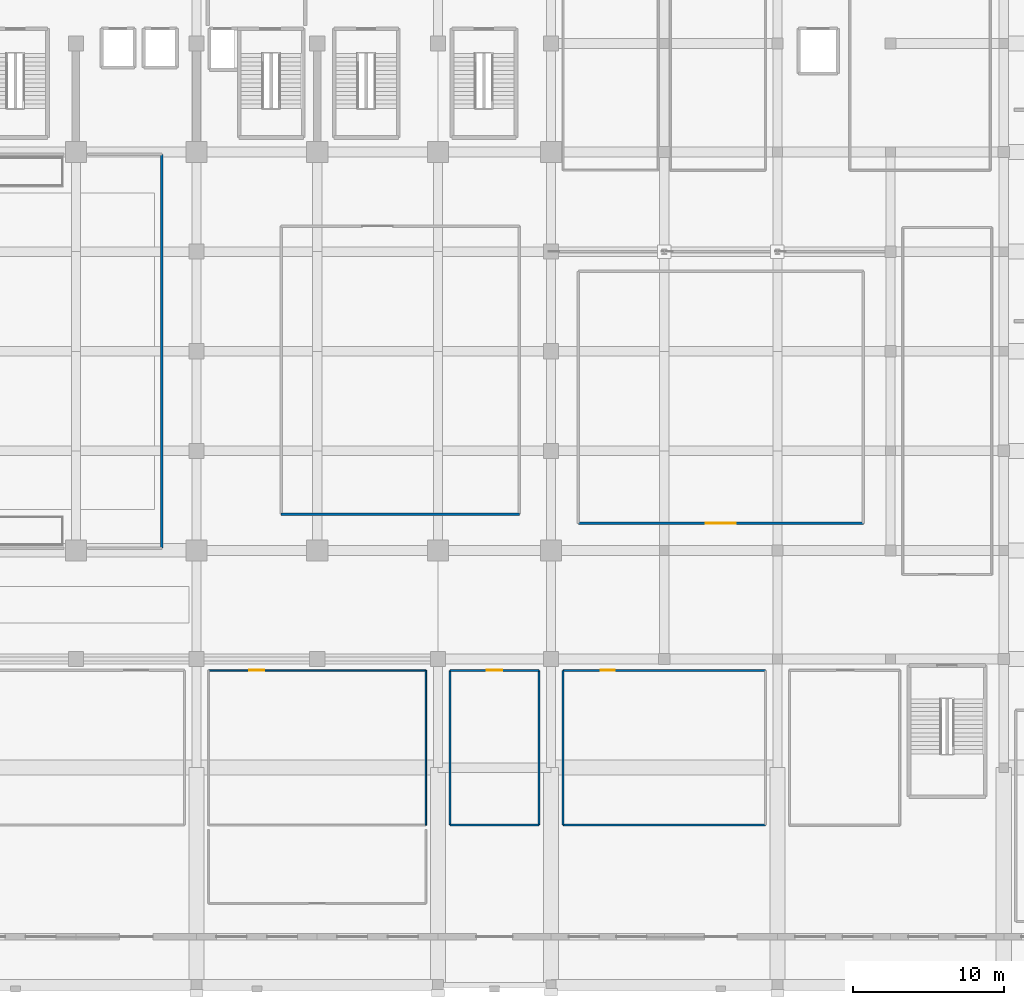
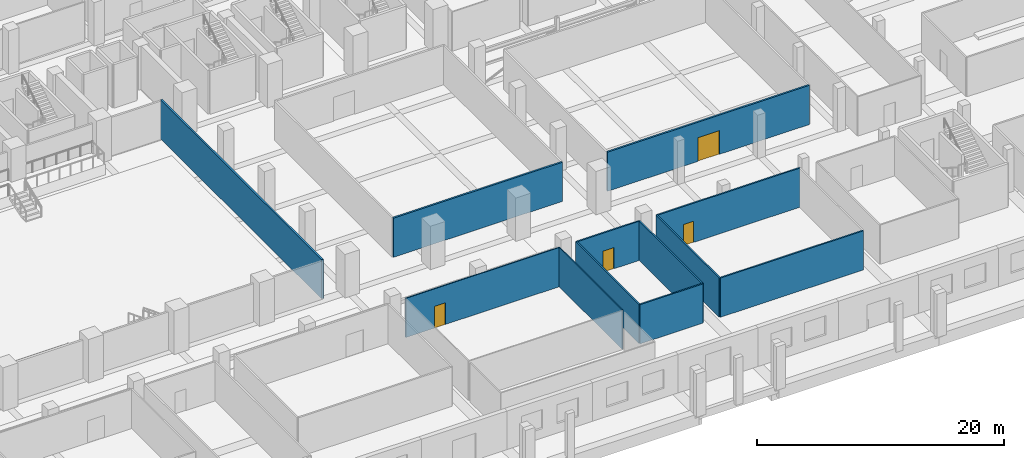
# One storey, part 14 of 33: 12 walls, 4 doors, 4 openings.
"""IFC4 building model written with IfcOpenShell, lengths in metres."""

from ifc_helpers import new_model, si_unit, direction, frame, frame_2d, origin, place, context, subcontext, project, spatial, rectangle, extrude, material, layer, layer_set, type_object, element, fill, save


model = new_model("IFC4")

# Units and contexts
model_context = context("Model", 3, precision=1e-05, world=origin(), true_north=direction((0.0, 1.0)))
body_context = subcontext(model_context, "Body", "Model", "MODEL_VIEW")
ifc_project = project(units=[si_unit("LENGTHUNIT", "METRE"), si_unit("AREAUNIT", "SQUARE_METRE"), si_unit("VOLUMEUNIT", "CUBIC_METRE"), si_unit("PLANEANGLEUNIT", "RADIAN"), si_unit("MASSUNIT", "GRAM", prefix="KILO")], contexts=[model_context])

# Site, building, storey
site_placement = place(None, origin())
site = spatial("IfcSite", under=ifc_project, at=site_placement, CompositionType="ELEMENT")
building_placement = place(site_placement, origin())
building = spatial("IfcBuilding", under=site, at=building_placement, Name="Akrevak Sports Hall", CompositionType="ELEMENT")
storey_placement = place(building_placement, origin())
storey = spatial("IfcBuildingStorey", under=building, at=storey_placement, Name="L00", CompositionType="ELEMENT", Elevation=0.0)

# Wall, opening, door
ifc_material_1 = material(Name="Sanitary Cubicle Partition", Category="gypsum")
ifc_layer_1 = layer(ifc_material_1, 0.10009765625, Name="Sanitary Cubicle Partition")
ifc_layer_set_1 = layer_set([ifc_layer_1], Name="Sanitary Cubicle Partition")
wall_type_1 = type_object("IfcWallType", Name="ARC-WL-PRT-100", PredefinedType="PARTITIONING", material=ifc_layer_set_1)
wall_1_placement = place(storey_placement, frame((92.800048828125, 20.85009765625, 0.0), z_axis=(0.0, 0.0, 1.0), x_axis=(1.0, 0.0, 0.0)))
wall_1 = element("IfcWall", 1, at=wall_1_placement, inside=storey, type_object=wall_type_1, Name="Interior Partition Sports Clinic Orthopedic & Doping Control (N)", PredefinedType="PARTITIONING", context=body_context, shape_type="SweptSolid", body=[
    extrude(rectangle(XDim=14.39990234375, YDim=0.10009765625, at=frame_2d((7.199951171875, 0.0))), origin(), (0.0, 0.0, 1.0), 3.8798828125),
])
opening_1_placement = place(wall_1_placement, frame((2.699951171875, 0.0, 0.0)))
opening_1 = element("IfcOpeningElement", 2, at=opening_1_placement, cuts=wall_1, Name="Opening ID-06", PredefinedType="OPENING", context=body_context, shape_type="SweptSolid", body=[
    extrude(rectangle(XDim=1.0, YDim=2.14990234375, at=frame_2d((0.5, 1.074951171875))), frame((0.0, 0.06201171875, 0.0), z_axis=(0.0, -1.0, 0.0), x_axis=(1.0, 0.0, 0.0)), (0.0, 0.0, 1.0), 0.1240234375),
])
ifc_material_2 = material(Name="Hardwood Oak Acoustic Leaf", Category="wood")
door_type_1 = type_object("IfcDoorType", Name="ARC-DR-OFF-100x215", OperationType="NOTDEFINED", PredefinedType="DOOR", material=ifc_material_2)
door_1_placement = place(opening_1_placement, origin())
door_1 = element("IfcDoor", 3, at=door_1_placement, inside=storey, type_object=door_type_1, Name="Door to Sports Clinic Orthopedic & Doping Control", OperationType="SINGLE_SWING_LEFT", OverallHeight=2.14990234375, OverallWidth=1.0, PredefinedType="DOOR", context=body_context, shape_type="SweptSolid", body=[
    extrude(rectangle(XDim=1.0, YDim=2.14990234375, at=frame_2d((0.5, 1.074951171875))), frame((0.0, 0.02490234375, 0.0), z_axis=(0.0, -1.0, 0.0), x_axis=(1.0, 0.0, 0.0)), (0.0, 0.0, 1.0), 0.050048828125),
])
fill(opening_1, door_1)

# Walls
wall_2_placement = place(storey_placement, frame((107.199951171875, 10.60009765625, 0.0), z_axis=(0.0, 0.0, 1.0), x_axis=(0.0, 1.0, 0.0)))
element("IfcWall", 4, at=wall_2_placement, inside=storey, type_object=wall_type_1, Name="Interior Partition Sports Clinic Orthopedic & Doping Control (E)", PredefinedType="PARTITIONING", context=body_context, shape_type="SweptSolid", body=[
    extrude(rectangle(XDim=10.25, YDim=0.10009765625, at=frame_2d((5.125, 0.0))), origin(), (0.0, 0.0, 1.0), 3.8798828125),
])
ifc_material_3 = material(Name="Moisture-Resistant Wet-Area Partition", Category="gypsum")
ifc_layer_2 = layer(ifc_material_3, 0.139892578125, Name="Moisture-Resistant Wet-Area Partition")
ifc_layer_set_2 = layer_set([ifc_layer_2], Name="Moisture-Resistant Wet-Area Partition")
wall_type_2 = type_object("IfcWallType", Name="ARC-WL-PRT-140", PredefinedType="PARTITIONING", material=ifc_layer_set_2)
wall_3_placement = place(storey_placement, frame((108.800048828125, 10.60009765625, 0.0), z_axis=(0.0, 0.0, 1.0), x_axis=(1.0, 0.0, 0.0)))
element("IfcWall", 5, at=wall_3_placement, inside=storey, type_object=wall_type_2, Name="Interior Partition Sports Clinic Accessible WC & Shower (S)", PredefinedType="PARTITIONING", context=body_context, shape_type="SweptSolid", body=[
    extrude(rectangle(XDim=5.89990234375, YDim=0.139892578125, at=frame_2d((2.949951171875, 0.0))), origin(), (0.0, 0.0, 1.0), 3.8798828125),
])

# Wall, opening, door
wall_4_placement = place(storey_placement, frame((108.800048828125, 20.85009765625, 0.0), z_axis=(0.0, 0.0, 1.0), x_axis=(1.0, 0.0, 0.0)))
wall_4 = element("IfcWall", 6, at=wall_4_placement, inside=storey, type_object=wall_type_2, Name="Interior Partition Sports Clinic Accessible WC & Shower (N)", PredefinedType="PARTITIONING", context=body_context, shape_type="SweptSolid", body=[
    extrude(rectangle(XDim=5.89990234375, YDim=0.139892578125, at=frame_2d((2.949951171875, 0.0))), origin(), (0.0, 0.0, 1.0), 3.8798828125),
])
opening_2_placement = place(wall_4_placement, frame((2.43994140625, 0.0, 0.0)))
opening_2 = element("IfcOpeningElement", 7, at=opening_2_placement, cuts=wall_4, Name="Opening ID-09", PredefinedType="OPENING", context=body_context, shape_type="SweptSolid", body=[
    extrude(rectangle(XDim=1.02001953125, YDim=2.10009765625, at=frame_2d((0.510009765625, 1.050048828125))), frame((0.0, 0.08203125, 0.0), z_axis=(0.0, -1.0, 0.0), x_axis=(1.0, 0.0, 0.0)), (0.0, 0.0, 1.0), 0.163818359375),
])
ifc_material_4 = material(Name="High-Pressure Laminate & Aluminium", Category="aluminium")
door_type_2 = type_object("IfcDoorType", Name="ARC-DR-AWC-102x210", OperationType="NOTDEFINED", PredefinedType="DOOR", material=ifc_material_4)
door_2_placement = place(opening_2_placement, frame((1.02001953125, 0.0, 0.0), z_axis=(0.0, 0.0, 1.0), x_axis=(-1.0, 0.0, 0.0)))
door_2 = element("IfcDoor", 8, at=door_2_placement, inside=storey, type_object=door_type_2, Name="Door to Sports Clinic Accessible WC & Shower", OperationType="SINGLE_SWING_RIGHT", OverallHeight=2.10009765625, OverallWidth=1.02001953125, PredefinedType="DOOR", context=body_context, shape_type="SweptSolid", body=[
    extrude(rectangle(XDim=1.02001953125, YDim=2.10009765625, at=frame_2d((0.510009765625, 1.050048828125))), frame((0.0, 0.02490234375, 0.0), z_axis=(0.0, -1.0, 0.0), x_axis=(1.0, 0.0, 0.0)), (0.0, 0.0, 1.0), 0.050048828125),
])
fill(opening_2, door_2)

# Walls
for number, where, z_axis, x_axis, name in (
    (9, (108.800048828125, 10.60009765625, 0.0), (0.0, 0.0, 1.0), (0.0, 1.0, 0.0), "Interior Partition Sports Clinic Accessible WC & Shower (W)"),
    (10, (114.699951171875, 10.60009765625, 0.0), (0.0, 0.0, 1.0), (0.0, 1.0, 0.0), "Interior Partition Sports Clinic Accessible WC & Shower (E)"),
):
    element("IfcWall", number, at=place(storey_placement, frame(where, z_axis=z_axis, x_axis=x_axis)), inside=storey, type_object=wall_type_2, Name=name, PredefinedType="PARTITIONING", context=body_context, shape_type="SweptSolid", body=[
        extrude(rectangle(XDim=10.25, YDim=0.139892578125, at=frame_2d((5.125, 0.0))), origin(), (0.0, 0.0, 1.0), 3.8798828125),
    ])
wall_5_placement = place(storey_placement, frame((116.300048828125, 10.60009765625, 0.0), z_axis=(0.0, 0.0, 1.0), x_axis=(1.0, 0.0, 0.0)))
element("IfcWall", 11, at=wall_5_placement, inside=storey, type_object=wall_type_2, Name="Interior Partition Public Spectator WC Suite South (S)", PredefinedType="PARTITIONING", context=body_context, shape_type="SweptSolid", body=[
    extrude(rectangle(XDim=13.39990234375, YDim=0.139892578125, at=frame_2d((6.699951171875, 0.0))), origin(), (0.0, 0.0, 1.0), 3.8798828125),
])

# Wall, opening, door
wall_6_placement = place(storey_placement, frame((116.300048828125, 20.85009765625, 0.0), z_axis=(0.0, 0.0, 1.0), x_axis=(1.0, 0.0, 0.0)))
wall_6 = element("IfcWall", 12, at=wall_6_placement, inside=storey, type_object=wall_type_2, Name="Interior Partition Public Spectator WC Suite South (N)", PredefinedType="PARTITIONING", context=body_context, shape_type="SweptSolid", body=[
    extrude(rectangle(XDim=13.39990234375, YDim=0.139892578125, at=frame_2d((6.699951171875, 0.0))), origin(), (0.0, 0.0, 1.0), 3.8798828125),
])
opening_3_placement = place(wall_6_placement, frame((2.47509765625, 0.0, 0.0)))
opening_3 = element("IfcOpeningElement", 13, at=opening_3_placement, cuts=wall_6, Name="Opening ID-08", PredefinedType="OPENING", context=body_context, shape_type="SweptSolid", body=[
    extrude(rectangle(XDim=0.949951171875, YDim=2.10009765625, at=frame_2d((0.47509765625, 1.050048828125))), frame((0.0, 0.08203125, 0.0), z_axis=(0.0, -1.0, 0.0), x_axis=(1.0, 0.0, 0.0)), (0.0, 0.0, 1.0), 0.163818359375),
])
door_type_3 = type_object("IfcDoorType", Name="ARC-DR-WC-095x210", OperationType="NOTDEFINED", PredefinedType="DOOR", material=ifc_material_4)
door_3_placement = place(opening_3_placement, origin())
door_3 = element("IfcDoor", 14, at=door_3_placement, inside=storey, type_object=door_type_3, Name="Door to Public Spectator WC Suite South", OperationType="SINGLE_SWING_LEFT", OverallHeight=2.10009765625, OverallWidth=0.949951171875, PredefinedType="DOOR", context=body_context, shape_type="SweptSolid", body=[
    extrude(rectangle(XDim=0.949951171875, YDim=2.10009765625, at=frame_2d((0.47509765625, 1.050048828125))), frame((0.0, 0.02490234375, 0.0), z_axis=(0.0, -1.0, 0.0), x_axis=(1.0, 0.0, 0.0)), (0.0, 0.0, 1.0), 0.050048828125),
])
fill(opening_3, door_3)

# Walls
wall_7_placement = place(storey_placement, frame((116.300048828125, 10.60009765625, 0.0), z_axis=(0.0, 0.0, 1.0), x_axis=(0.0, 1.0, 0.0)))
element("IfcWall", 15, at=wall_7_placement, inside=storey, type_object=wall_type_2, Name="Interior Partition Public Spectator WC Suite South (W)", PredefinedType="PARTITIONING", context=body_context, shape_type="SweptSolid", body=[
    extrude(rectangle(XDim=10.25, YDim=0.139892578125, at=frame_2d((5.125, 0.0))), origin(), (0.0, 0.0, 1.0), 3.8798828125),
])
ifc_material_5 = material(Name="Double Stud Fireboard Partition", Category="gypsum")
ifc_layer_3 = layer(ifc_material_5, 0.1650390625, Name="Double Stud Fireboard Partition")
ifc_layer_set_3 = layer_set([ifc_layer_3], Name="Double Stud Fireboard Partition")
wall_type_3 = type_object("IfcWallType", Name="ARC-WL-PRT-165", PredefinedType="PARTITIONING", material=ifc_layer_set_3)
wall_8_placement = place(storey_placement, frame((89.699951171875, 28.949951171875, 0.0), z_axis=(0.0, 0.0, 1.0), x_axis=(0.0, 1.0, 0.0)))
element("IfcWall", 16, at=wall_8_placement, inside=storey, type_object=wall_type_3, Name="Interior Partition Sports Hall 1 - Handball Court (E)", PredefinedType="PARTITIONING", context=body_context, shape_type="SweptSolid", body=[
    extrude(rectangle(XDim=26.10009765625, YDim=0.1650390625, at=frame_2d((13.050048828125, 0.0))), origin(), (0.0, 0.0, 1.0), 3.8798828125),
])

# Wall, opening, door
wall_9_placement = place(storey_placement, frame((117.300048828125, 30.60009765625, 0.0), z_axis=(0.0, 0.0, 1.0), x_axis=(1.0, 0.0, 0.0)))
wall_9 = element("IfcWall", 17, at=wall_9_placement, inside=storey, type_object=wall_type_3, Name="Interior Partition Climbing Wall Hall (S)", PredefinedType="PARTITIONING", context=body_context, shape_type="SweptSolid", body=[
    extrude(rectangle(XDim=18.89990234375, YDim=0.1650390625, at=frame_2d((9.449951171875, 0.0))), origin(), (0.0, 0.0, 1.0), 3.8798828125),
])
opening_4_placement = place(wall_9_placement, frame((8.449951171875, 0.0, 0.0)))
opening_4 = element("IfcOpeningElement", 18, at=opening_4_placement, cuts=wall_9, Name="Opening ID-01", PredefinedType="OPENING", context=body_context, shape_type="SweptSolid", body=[
    extrude(rectangle(XDim=2.0, YDim=2.35009765625, at=frame_2d((1.0, 1.175048828125))), frame((0.0, 0.094482421875, 0.0), z_axis=(0.0, -1.0, 0.0), x_axis=(1.0, 0.0, 0.0)), (0.0, 0.0, 1.0), 0.18896484375),
])
ifc_material_6 = material(Name="Hardwood Oak & Safety Glass", Category="wood")
door_type_4 = type_object("IfcDoorType", Name="ARC-DR-HALL-200x235", OperationType="DOUBLE_DOOR_SINGLE_SWING", PredefinedType="DOOR", material=ifc_material_6)
door_4_placement = place(opening_4_placement, frame((2.0, 0.0, 0.0), z_axis=(0.0, 0.0, 1.0), x_axis=(-1.0, 0.0, 0.0)))
door_4 = element("IfcDoor", 19, at=door_4_placement, inside=storey, type_object=door_type_4, Name="Door to Climbing Wall Hall", OperationType="DOUBLE_DOOR_SINGLE_SWING", OverallHeight=2.35009765625, OverallWidth=2.0, PredefinedType="DOOR", context=body_context, shape_type="SweptSolid", body=[
    extrude(rectangle(XDim=2.0, YDim=2.35009765625, at=frame_2d((1.0, 1.175048828125))), frame((0.0, 0.02490234375, 0.0), z_axis=(0.0, -1.0, 0.0), x_axis=(1.0, 0.0, 0.0)), (0.0, 0.0, 1.0), 0.050048828125),
])
fill(opening_4, door_4)

# Wall
wall_10_placement = place(storey_placement, frame((97.60009765625, 31.199951171875, 0.0), z_axis=(0.0, 0.0, 1.0), x_axis=(1.0, 0.0, 0.0)))
element("IfcWall", 20, at=wall_10_placement, inside=storey, type_object=wall_type_3, Name="Interior Partition Climbing Bouldering Warm-Up Zone (S)", PredefinedType="PARTITIONING", context=body_context, shape_type="SweptSolid", body=[
    extrude(rectangle(XDim=15.7998046875, YDim=0.1650390625, at=frame_2d((7.89990234375, 0.0))), origin(), (0.0, 0.0, 1.0), 3.8798828125),
])

save(model, "model.ifc")
